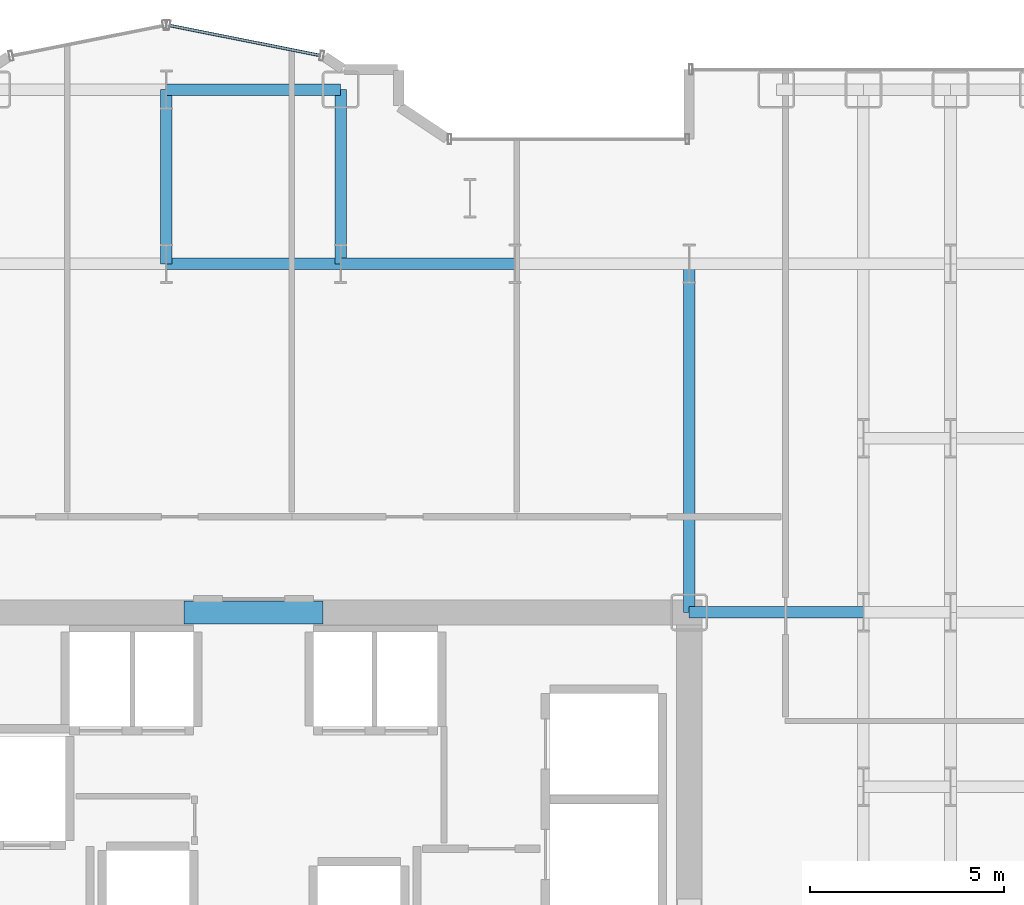
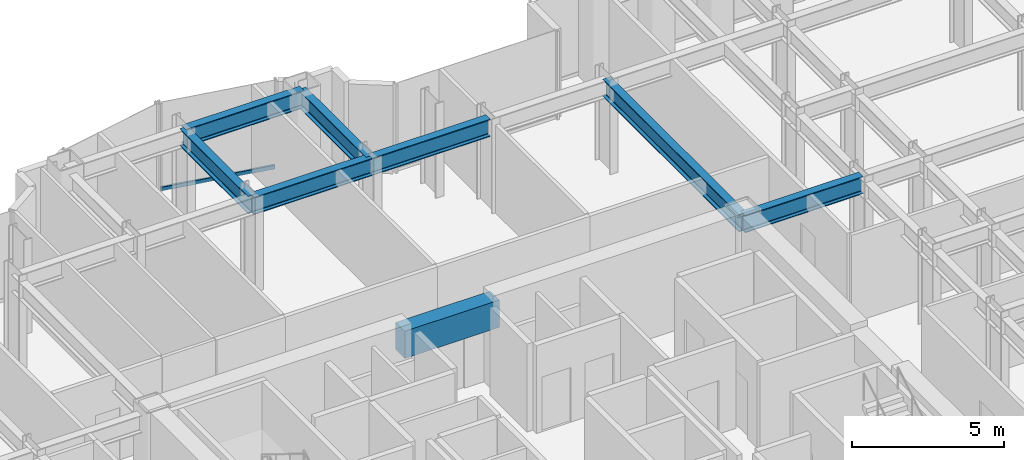
# One storey, part 11 of 27: 8 beams, 1 member, 1 element without a shape of its own.
"""IFC4 building model written with IfcOpenShell, lengths in metres."""

from ifc_helpers import new_model, si_unit, direction, frame, origin, origin_2d, place, context, subcontext, project, spatial, rectangle, hollow_rectangle, i_section, extrude, source, transform, mapped, material, layer, layer_set, material_profile, profile_set, type_object, element, aggregate, save


model = new_model("IFC4")

# Units and contexts
model_context = context("Model", 3, precision=1e-05, world=origin(), true_north=direction((0.0, 1.0)))
body_context = subcontext(model_context, "Body", "Model", "MODEL_VIEW")
ifc_project = project(units=[si_unit("LENGTHUNIT", "METRE"), si_unit("AREAUNIT", "SQUARE_METRE"), si_unit("VOLUMEUNIT", "CUBIC_METRE"), si_unit("PLANEANGLEUNIT", "RADIAN"), si_unit("MASSUNIT", "GRAM", prefix="KILO")], contexts=[model_context])

# Site, building, storey
site_placement = place(None, origin())
site = spatial("IfcSite", under=ifc_project, at=site_placement, CompositionType="ELEMENT")
building_placement = place(site_placement, origin())
building = spatial("IfcBuilding", under=site, at=building_placement, Name="Nefas-Gora Pilgrimage Tower", CompositionType="ELEMENT")
storey_placement = place(building_placement, frame((0.0, 0.0, 48.199951171875)))
storey = spatial("IfcBuildingStorey", under=building, at=storey_placement, Name="L10", CompositionType="ELEMENT", Elevation=48.199951171875)

# Beams
ifc_material_1 = material(Name="Concrete C60/75", Category="concrete")
ifc_material_profile_1 = material_profile(ifc_material_1, rectangle(XDim=0.60009765625, YDim=1.10009765625, at=origin_2d()), Name="RC 600x1100")
ifc_profile_set_1 = profile_set([ifc_material_profile_1], Name="Concrete C60/75")
beam_type_1 = type_object("IfcBeamType", Name="BM-LIN-RC1100", PredefinedType="LINTEL", material=ifc_profile_set_1)
shared_shape_1 = source(origin(), body_context, "Body", "SweptSolid", [
    extrude(rectangle(XDim=0.60009765625, YDim=1.10009765625, at=origin_2d()), origin(), (0.0, 0.0, 1.0), 3.60009765625),
])
beam_1_placement = place(storey_placement, frame((-1.800048828125, 9.0, 3.0), z_axis=(1.0, 0.0, 0.0), x_axis=(0.0, 1.0, 0.0)))
element("IfcBeam", 1, at=beam_1_placement, inside=storey, type_object=beam_type_1, Name="L10 Core Coupling Lintel Beam N", PredefinedType="LINTEL", context=body_context, shape_type="MappedRepresentation", body=[
    mapped(shared_shape_1, transform((0.0, 0.0, 0.0), x_axis=(1.0, 0.0, 0.0), y_axis=(0.0, 1.0, 0.0), z_axis=(0.0, 0.0, 1.0), scale=1.0)),
])
ifc_material_2 = material(Name="Steel S355", Category="steel")
ifc_material_profile_2 = material_profile(ifc_material_2, i_section(OverallWidth=0.300048828125, OverallDepth=0.699951171875, WebThickness=0.01708984375, FlangeThickness=0.031982421875, FilletRadius=0.027099609375, at=origin_2d()), Name="HEB 700")
ifc_profile_set_2 = profile_set([ifc_material_profile_2], Name="Steel S355")
beam_type_2 = type_object("IfcBeamType", Name="BM-GIR-HEB700", PredefinedType="BEAM", material=ifc_profile_set_2)
shared_shape_2 = source(origin(), body_context, "Body", "SweptSolid", [
    extrude(i_section(OverallWidth=0.300048828125, OverallDepth=0.699951171875, WebThickness=0.01708984375, FlangeThickness=0.031982421875, FilletRadius=0.027099609375, at=origin_2d()), origin(), (0.0, 0.0, 1.0), 9.0),
])
beam_2_placement = place(storey_placement, frame((11.25, 9.0, 3.199951171875), z_axis=(0.0, 1.0, 0.0), x_axis=(-1.0, 0.0, 0.0)))
element("IfcBeam", 2, at=beam_2_placement, inside=storey, type_object=beam_type_2, Name="L10 G-02 beam", PredefinedType="BEAM", context=body_context, shape_type="MappedRepresentation", body=[
    mapped(shared_shape_2, transform((0.0, 0.0, 0.0), x_axis=(1.0, 0.0, 0.0), y_axis=(0.0, 1.0, 0.0), z_axis=(0.0, 0.0, 1.0), scale=1.0)),
])
shared_shape_3 = source(origin(), body_context, "Body", "SweptSolid", [
    extrude(i_section(OverallWidth=0.300048828125, OverallDepth=0.699951171875, WebThickness=0.01708984375, FlangeThickness=0.031982421875, FilletRadius=0.027099609375, at=origin_2d()), origin(), (0.0, 0.0, 1.0), 4.5),
])
for number, where, z_axis, x_axis, name in (
    (3, (-2.25, 18.0, 3.199951171875), (0.0, 1.0, 0.0), (-1.0, 0.0, 0.0), "L10 G-02 beam"),
    (4, (-2.25, 18.0, 3.199951171875), (1.0, 0.0, 0.0), (0.0, 1.0, 0.0), "L10 G-02 beam"),
    (5, (-2.25, 22.5, 3.199951171875), (1.0, 0.0, 0.0), (0.0, 1.0, 0.0), "L10 G-02 beam"),
    (6, (2.25, 18.0, 3.199951171875), (0.0, 1.0, 0.0), (-1.0, 0.0, 0.0), "L10 G-02 beam"),
    (7, (2.25, 18.0, 3.199951171875), (1.0, 0.0, 0.0), (0.0, 1.0, 0.0), "L10 G-02 beam"),
    (8, (11.25, 9.0, 3.199951171875), (1.0, 0.0, 0.0), (0.0, 1.0, 0.0), "L10 G-02 beam"),
):
    element("IfcBeam", number, at=place(storey_placement, frame(where, z_axis=z_axis, x_axis=x_axis)), inside=storey, type_object=beam_type_2, Name=name, PredefinedType="BEAM", context=body_context, shape_type="MappedRepresentation", body=[
        mapped(shared_shape_3, transform((0.0, 0.0, 0.0), x_axis=(1.0, 0.0, 0.0), y_axis=(0.0, 1.0, 0.0), z_axis=(0.0, 0.0, 1.0), scale=1.0)),
    ])

# Curtain wall, member
ifc_material_3 = material(Name="Dark ceramic-fritted solar-control aluminium-glass curtain wall", Category="aluminium")
ifc_layer = layer(ifc_material_3, 0.219970703125)
ifc_layer_set = layer_set([ifc_layer], Name="Dark ceramic-fritted solar-control aluminium-glass curtain wall")
curtain_wall_type = type_object("IfcCurtainWallType", Name="CW-SYS-5", PredefinedType="NOTDEFINED", material=ifc_layer_set)
curtain_wall_placement = place(storey_placement, origin())
curtain_wall = element("IfcCurtainWall", 9, at=curtain_wall_placement, inside=storey, type_object=curtain_wall_type, Name="L10 Unitised Curtain Wall CW5", PredefinedType="NOTDEFINED")
ifc_material_4 = material(Name="Anodised architectural aluminium", Category="aluminium")
ifc_material_profile_3 = material_profile(ifc_material_4, hollow_rectangle(XDim=0.080078125, YDim=0.159912109375, WallThickness=0.00439453125, InnerFilletRadius=0.00439453125, OuterFilletRadius=0.009033203125, at=origin_2d()), Name="ALU TRANSOM 80x160")
ifc_profile_set_3 = profile_set([ifc_material_profile_3], Name="Anodised architectural aluminium")
member_type = type_object("IfcMemberType", Name="CWM-TRN-5", PredefinedType="USERDEFINED", material=ifc_profile_set_3)
shared_shape_4 = source(origin(), body_context, "Body", "SweptSolid", [
    extrude(hollow_rectangle(XDim=0.080078125, YDim=0.159912109375, WallThickness=0.00439453125, InnerFilletRadius=0.00439453125, OuterFilletRadius=0.009033203125, at=origin_2d()), origin(), (0.0, 0.0, 1.0), 3.95654296875),
])
member_placement = place(storey_placement, frame((1.718994140625, 23.3828125, 0.050048828125), z_axis=(-0.980781880918, 0.195107411605, 0.0), x_axis=(-0.195107411605, -0.980781880918, 0.0)))
member = element("IfcMember", 10, at=member_placement, type_object=member_type, Name="CW5 Spandrel Transom", ObjectType="TRANSOM", PredefinedType="USERDEFINED", context=body_context, shape_type="MappedRepresentation", body=[
    mapped(shared_shape_4, transform((0.0, 0.0, 0.0), x_axis=(1.0, 0.0, 0.0), y_axis=(0.0, 1.0, 0.0), z_axis=(0.0, 0.0, 1.0), scale=1.0)),
])
aggregate(curtain_wall, [member])

save(model, "model.ifc")
